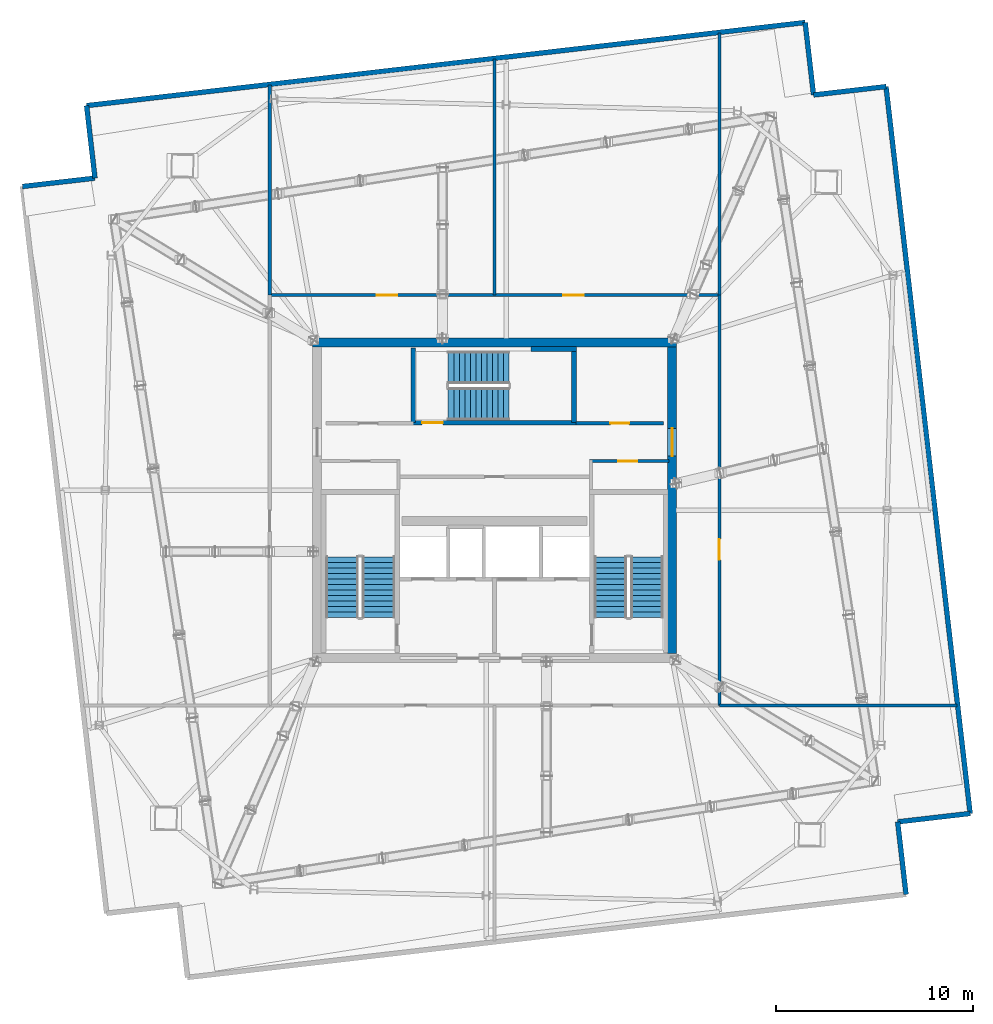
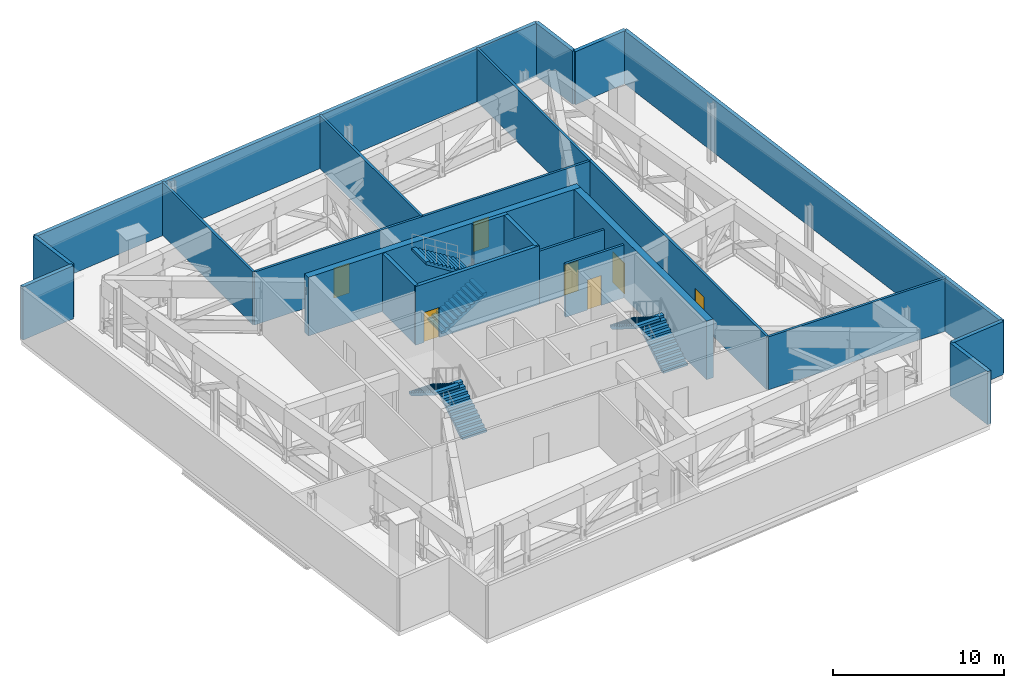
# One storey, part 10 of 13: 22 walls, 7 doors, 6 stair flights, 7 openings, 3 elements without a shape of their own.
"""IFC4 building model written with IfcOpenShell, lengths in metres."""

from ifc_helpers import new_model, si_unit, direction, frame, frame_2d, origin, place, context, subcontext, project, spatial, polyline, rectangle, outline, extrude, material, layer, layer_set, type_object, element, fill, aggregate, save


model = new_model("IFC4")

# Units and contexts
model_context = context("Model", 3, precision=1e-05, world=origin(), true_north=direction((0.0, 1.0)))
body_context = subcontext(model_context, "Body", "Model", "MODEL_VIEW")
ifc_project = project(units=[si_unit("LENGTHUNIT", "METRE"), si_unit("AREAUNIT", "SQUARE_METRE"), si_unit("VOLUMEUNIT", "CUBIC_METRE"), si_unit("PLANEANGLEUNIT", "RADIAN"), si_unit("MASSUNIT", "GRAM", prefix="KILO")], contexts=[model_context])

# Site, building, storey
site_placement = place(None, origin())
site = spatial("IfcSite", under=ifc_project, at=site_placement, CompositionType="ELEMENT")
building_placement = place(site_placement, origin())
building = spatial("IfcBuilding", under=site, at=building_placement, Name="Haldenkirk Collegiate Tower", CompositionType="ELEMENT")
storey_placement = place(building_placement, frame((0.0, 0.0, 352.199951171875)))
storey = spatial("IfcBuildingStorey", under=building, at=storey_placement, Name="L89", CompositionType="ELEMENT", Elevation=352.199951171875)

# Wall
ifc_material_1 = material(Name="Concrete f'c 55 MPa", Category="concrete")
ifc_layer_1 = layer(ifc_material_1, 0.449951171875)
ifc_layer_set_1 = layer_set([ifc_layer_1], Name="Concrete f'c 55 MPa")
wall_type_1 = type_object("IfcWallType", Name="WL-CORE-450", PredefinedType="SHEAR", material=ifc_layer_set_1)
wall_1_placement = place(storey_placement, frame((26.77490234375, 34.0, 0.0), z_axis=(0.0, 0.0, 1.0), x_axis=(1.0, 0.0, 0.0)))
element("IfcWall", 1, at=wall_1_placement, inside=storey, type_object=wall_type_1, Name="L89 central core shear wall N", PredefinedType="SHEAR", context=body_context, shape_type="SweptSolid", body=[
    extrude(rectangle(XDim=18.4501953125, YDim=0.449951171875, at=frame_2d((9.22509765625, 0.0))), origin(), (0.0, 0.0, 1.0), 4.199951171875),
])

# Wall, opening, door
wall_2_placement = place(storey_placement, frame((45.0, 18.22509765625, 0.0), z_axis=(0.0, 0.0, 1.0), x_axis=(0.0, 1.0, 0.0)))
wall_2 = element("IfcWall", 2, at=wall_2_placement, inside=storey, type_object=wall_type_1, Name="L89 central core shear wall E", PredefinedType="SHEAR", context=body_context, shape_type="SweptSolid", body=[
    extrude(rectangle(XDim=15.5498046875, YDim=0.449951171875, at=frame_2d((7.77490234375, 0.0))), origin(), (0.0, 0.0, 1.0), 4.199951171875),
])
opening_1_placement = place(wall_2_placement, frame((10.014892578125, 0.0, 0.0)))
opening_1 = element("IfcOpeningElement", 3, at=opening_1_placement, cuts=wall_2, Name="Opening D-03", PredefinedType="OPENING", context=body_context, shape_type="SweptSolid", body=[
    extrude(rectangle(XDim=1.39990234375, YDim=2.199951171875, at=frame_2d((0.699951171875, 1.10009765625))), frame((0.0, 0.23486328125, 0.0), z_axis=(0.0, -1.0, 0.0), x_axis=(1.0, 0.0, 0.0)), (0.0, 0.0, 1.0), 0.469970703125),
])
ifc_material_2 = material(Name="Galvanized fire-rated hollow steel door", Category="steel")
ifc_layer_2 = layer(ifc_material_2, 0.06005859375)
ifc_layer_set_2 = layer_set([ifc_layer_2], Name="Galvanized fire-rated hollow steel door")
door_type_1 = type_object("IfcDoorType", Name="DR-LOBBY-FD90-1400", OperationType="NOTDEFINED", PredefinedType="DOOR", material=ifc_layer_set_2)
door_1_placement = place(opening_1_placement, origin())
door_1 = element("IfcDoor", 4, at=door_1_placement, inside=storey, type_object=door_type_1, Name="L89 east lift lobby portal", OperationType="DOUBLE_DOOR_SINGLE_SWING", OverallHeight=2.199951171875, OverallWidth=1.39990234375, PredefinedType="DOOR", context=body_context, shape_type="SweptSolid", body=[
    extrude(rectangle(XDim=1.39990234375, YDim=2.199951171875, at=frame_2d((0.699951171875, 1.10009765625))), frame((0.0, 0.02490234375, 0.0), z_axis=(0.0, -1.0, 0.0), x_axis=(1.0, 0.0, 0.0)), (0.0, 0.0, 1.0), 0.050048828125),
])
fill(opening_1, door_1)

# Walls
ifc_material_3 = material(Name="Precast concrete f'c 40 MPa", Category="concrete")
ifc_layer_3 = layer(ifc_material_3, 0.25)
ifc_layer_set_3 = layer_set([ifc_layer_3], Name="Precast concrete f'c 40 MPa")
wall_type_2 = type_object("IfcWallType", Name="WL-EXT-CRN-250", PredefinedType="STANDARD", material=ifc_layer_set_3)
wall_3_placement = place(storey_placement, frame((55.84619140625, 46.969970703125, 0.0), z_axis=(0.0, 0.0, 1.0), x_axis=(0.114943814855, -0.993371994485, 0.0)))
element("IfcWall", 5, at=wall_3_placement, inside=storey, type_object=wall_type_2, Name="L89 crown bronze precast enclosure wall 01", PredefinedType="STANDARD", context=body_context, shape_type="SweptSolid", body=[
    extrude(rectangle(XDim=37.099853515625, YDim=0.25, at=frame_2d((18.5498046875, 0.0))), origin(), (0.0, 0.0, 1.0), 3.800048828125),
])
for number, where, z_axis, x_axis, name in (
    (6, (52.1708984375, 46.544921875, 0.0), (0.0, 0.0, 1.0), (0.993378846009, 0.114884586881, 0.0), "L89 crown bronze precast enclosure wall 02"),
    (7, (51.74560546875, 50.22021484375, 0.0), (0.0, 0.0, 1.0), (0.114949702904, -0.993371313156, 0.0), "L89 crown bronze precast enclosure wall 03"),
):
    element("IfcWall", number, at=place(storey_placement, frame(where, z_axis=z_axis, x_axis=x_axis)), inside=storey, type_object=wall_type_2, Name=name, PredefinedType="STANDARD", context=body_context, shape_type="SweptSolid", body=[
        extrude(rectangle(XDim=3.69970703125, YDim=0.25, at=frame_2d((1.849853515625, 0.0))), origin(), (0.0, 0.0, 1.0), 3.800048828125),
    ])
wall_4_placement = place(storey_placement, frame((15.313720703125, 46.0048828125, 0.0), z_axis=(0.0, 0.0, 1.0), x_axis=(0.993372706006, 0.114937665551, 0.0)))
element("IfcWall", 8, at=wall_4_placement, inside=storey, type_object=wall_type_2, Name="L89 crown bronze precast enclosure wall 04", PredefinedType="STANDARD", context=body_context, shape_type="SweptSolid", body=[
    extrude(rectangle(XDim=36.675048828125, YDim=0.25, at=frame_2d((18.33740234375, 0.0))), origin(), (0.0, 0.0, 1.0), 3.800048828125),
])
wall_5_placement = place(storey_placement, frame((15.739013671875, 42.32958984375, 0.0), z_axis=(0.0, 0.0, 1.0), x_axis=(-0.114949702904, 0.993371313156, 0.0)))
element("IfcWall", 9, at=wall_5_placement, inside=storey, type_object=wall_type_2, Name="L89 crown bronze precast enclosure wall 05", PredefinedType="STANDARD", context=body_context, shape_type="SweptSolid", body=[
    extrude(rectangle(XDim=3.69970703125, YDim=0.25, at=frame_2d((1.849853515625, 0.0))), origin(), (0.0, 0.0, 1.0), 3.800048828125),
])
for number, where, z_axis, x_axis, name in (
    (10, (12.0634765625, 41.904296875, 0.0), (0.0, 0.0, 1.0), (0.993372184988, 0.114942168466, 0.0), "L89 crown bronze precast enclosure wall 06"),
    (11, (56.43505859375, 9.690673828125, 0.0), (0.0, 0.0, 1.0), (0.114877056596, -0.993379716859, 0.0), "L89 crown bronze precast enclosure wall 11"),
    (12, (60.110595703125, 10.115966796875, 0.0), (0.0, 0.0, 1.0), (-0.993372184988, -0.114942168466, 0.0), "L89 crown bronze precast enclosure wall 12"),
):
    element("IfcWall", number, at=place(storey_placement, frame(where, z_axis=z_axis, x_axis=x_axis)), inside=storey, type_object=wall_type_2, Name=name, PredefinedType="STANDARD", context=body_context, shape_type="SweptSolid", body=[
        extrude(rectangle(XDim=3.699951171875, YDim=0.25, at=frame_2d((1.85009765625, 0.0))), origin(), (0.0, 0.0, 1.0), 3.800048828125),
    ])

# Wall, opening, door
ifc_material_4 = material(Name="Acoustic fire-rated gypsum partition", Category="concrete")
ifc_layer_4 = layer(ifc_material_4, 0.159912109375)
ifc_layer_set_4 = layer_set([ifc_layer_4], Name="Acoustic fire-rated gypsum partition")
wall_type_3 = type_object("IfcWallType", Name="WL-INT-CORR-160", PredefinedType="PARTITIONING", material=ifc_layer_set_4)
wall_6_placement = place(storey_placement, frame((40.800048828125, 27.97998046875, 0.0), z_axis=(0.0, 0.0, 1.0), x_axis=(1.0, 0.0, 0.0)))
wall_6 = element("IfcWall", 13, at=wall_6_placement, inside=storey, type_object=wall_type_3, Name="L89 interior partition IW-L89-VCSE-N", PredefinedType="PARTITIONING", context=body_context, shape_type="SweptSolid", body=[
    extrude(rectangle(XDim=4.050048828125, YDim=0.159912109375, at=frame_2d((2.02490234375, 0.0))), origin(), (0.0, 0.0, 1.0), 3.800048828125),
])
opening_2_placement = place(wall_6_placement, frame((1.47509765625, 0.0, 0.0)))
opening_2 = element("IfcOpeningElement", 14, at=opening_2_placement, cuts=wall_6, Name="Opening D-10", PredefinedType="OPENING", context=body_context, shape_type="SweptSolid", body=[
    extrude(rectangle(XDim=0.949951171875, YDim=2.14990234375, at=frame_2d((0.47509765625, 1.074951171875))), frame((0.0, 0.08984375, 0.0), z_axis=(0.0, -1.0, 0.0), x_axis=(1.0, 0.0, 0.0)), (0.0, 0.0, 1.0), 0.179931640625),
])
ifc_material_5 = material(Name="Solid-core architectural oak fire door", Category="wood")
ifc_layer_5 = layer(ifc_material_5, 0.06005859375)
ifc_layer_set_5 = layer_set([ifc_layer_5], Name="Solid-core architectural oak fire door")
door_type_2 = type_object("IfcDoorType", Name="DR-INT-FD60-950", OperationType="NOTDEFINED", PredefinedType="DOOR", material=ifc_layer_set_5)
door_2_placement = place(opening_2_placement, origin())
door_2 = element("IfcDoor", 15, at=door_2_placement, inside=storey, type_object=door_type_2, Name="L89 core mechanical store door", OperationType="SINGLE_SWING_RIGHT", OverallHeight=2.14990234375, OverallWidth=0.949951171875, PredefinedType="DOOR", context=body_context, shape_type="SweptSolid", body=[
    extrude(rectangle(XDim=0.949951171875, YDim=2.14990234375, at=frame_2d((0.47509765625, 1.074951171875))), frame((0.0, 0.02490234375, 0.0), z_axis=(0.0, -1.0, 0.0), x_axis=(1.0, 0.0, 0.0)), (0.0, 0.0, 1.0), 0.050048828125),
])
fill(opening_2, door_2)

wall_7_placement = place(storey_placement, frame((40.1201171875, 29.89990234375, 0.0), z_axis=(0.0, 0.0, 1.0), x_axis=(1.0, 0.0, 0.0)))
wall_7 = element("IfcWall", 16, at=wall_7_placement, inside=storey, type_object=wall_type_3, Name="L89 interior partition IW-L89-PMS", PredefinedType="PARTITIONING", context=body_context, shape_type="SweptSolid", body=[
    extrude(rectangle(XDim=4.429931640625, YDim=0.159912109375, at=frame_2d((2.21484375, 0.0))), origin(), (0.0, 0.0, 1.0), 3.800048828125),
])
opening_3_placement = place(wall_7_placement, frame((1.7548828125, 0.0, 0.0)))
opening_3 = element("IfcOpeningElement", 17, at=opening_3_placement, cuts=wall_7, Name="Opening D-10", PredefinedType="OPENING", context=body_context, shape_type="SweptSolid", body=[
    extrude(rectangle(XDim=0.949951171875, YDim=2.14990234375, at=frame_2d((0.47509765625, 1.074951171875))), frame((0.0, 0.08984375, 0.0), z_axis=(0.0, -1.0, 0.0), x_axis=(1.0, 0.0, 0.0)), (0.0, 0.0, 1.0), 0.179931640625),
])
door_3_placement = place(opening_3_placement, origin())
door_3 = element("IfcDoor", 18, at=door_3_placement, inside=storey, type_object=door_type_2, Name="L89 east plant store door", OperationType="SINGLE_SWING_RIGHT", OverallHeight=2.14990234375, OverallWidth=0.949951171875, PredefinedType="DOOR", context=body_context, shape_type="SweptSolid", body=[
    extrude(rectangle(XDim=0.949951171875, YDim=2.14990234375, at=frame_2d((0.47509765625, 1.074951171875))), frame((0.0, 0.02490234375, 0.0), z_axis=(0.0, -1.0, 0.0), x_axis=(1.0, 0.0, 0.0)), (0.0, 0.0, 1.0), 0.050048828125),
])
fill(opening_3, door_3)

# Wall, openings, doors
wall_8_placement = place(storey_placement, frame((24.60009765625, 36.39990234375, 0.0), z_axis=(0.0, 0.0, 1.0), x_axis=(1.0, 0.0, 0.0)))
wall_8 = element("IfcWall", 19, at=wall_8_placement, inside=storey, type_object=wall_type_3, Name="L89 interior partition IW-L89-CN", PredefinedType="PARTITIONING", context=body_context, shape_type="SweptSolid", body=[
    extrude(rectangle(XDim=22.7998046875, YDim=0.159912109375, at=frame_2d((11.39990234375, 0.0))), origin(), (0.0, 0.0, 1.0), 3.800048828125),
])
opening_4_placement = place(wall_8_placement, frame((5.425048828125, 0.0, 0.0)))
opening_4 = element("IfcOpeningElement", 20, at=opening_4_placement, cuts=wall_8, Name="Opening D-09", PredefinedType="OPENING", context=body_context, shape_type="SweptSolid", body=[
    extrude(rectangle(XDim=1.050048828125, YDim=2.14990234375, at=frame_2d((0.52490234375, 1.074951171875))), frame((0.0, 0.08984375, 0.0), z_axis=(0.0, -1.0, 0.0), x_axis=(1.0, 0.0, 0.0)), (0.0, 0.0, 1.0), 0.179931640625),
])
opening_5_placement = place(wall_8_placement, frame((14.875, 0.0, 0.0)))
opening_5 = element("IfcOpeningElement", 21, at=opening_5_placement, cuts=wall_8, Name="Opening D-09", PredefinedType="OPENING", context=body_context, shape_type="SweptSolid", body=[
    extrude(rectangle(XDim=1.050048828125, YDim=2.14990234375, at=frame_2d((0.52490234375, 1.074951171875))), frame((0.0, 0.08984375, 0.0), z_axis=(0.0, -1.0, 0.0), x_axis=(1.0, 0.0, 0.0)), (0.0, 0.0, 1.0), 0.179931640625),
])
ifc_layer_6 = layer(ifc_material_5, 0.06005859375)
ifc_layer_set_6 = layer_set([ifc_layer_6], Name="Solid-core architectural oak fire door")
door_type_3 = type_object("IfcDoorType", Name="DR-INT-FD60-1050", OperationType="NOTDEFINED", PredefinedType="DOOR", material=ifc_layer_set_6)
door_4_placement = place(opening_4_placement, origin())
door_4 = element("IfcDoor", 22, at=door_4_placement, inside=storey, type_object=door_type_3, Name="L89 crown NW plant door", OperationType="SINGLE_SWING_RIGHT", OverallHeight=2.14990234375, OverallWidth=1.050048828125, PredefinedType="DOOR", context=body_context, shape_type="SweptSolid", body=[
    extrude(rectangle(XDim=1.050048828125, YDim=2.14990234375, at=frame_2d((0.52490234375, 1.074951171875))), frame((0.0, 0.02490234375, 0.0), z_axis=(0.0, -1.0, 0.0), x_axis=(1.0, 0.0, 0.0)), (0.0, 0.0, 1.0), 0.050048828125),
])
fill(opening_4, door_4)
door_5_placement = place(opening_5_placement, origin())
door_5 = element("IfcDoor", 23, at=door_5_placement, inside=storey, type_object=door_type_3, Name="L89 crown NE plant door", OperationType="SINGLE_SWING_LEFT", OverallHeight=2.14990234375, OverallWidth=1.050048828125, PredefinedType="DOOR", context=body_context, shape_type="SweptSolid", body=[
    extrude(rectangle(XDim=1.050048828125, YDim=2.14990234375, at=frame_2d((0.52490234375, 1.074951171875))), frame((0.0, 0.02490234375, 0.0), z_axis=(0.0, -1.0, 0.0), x_axis=(1.0, 0.0, 0.0)), (0.0, 0.0, 1.0), 0.050048828125),
])
fill(opening_5, door_5)

# Wall, opening, door
wall_9_placement = place(storey_placement, frame((47.39990234375, 15.60009765625, 0.0), z_axis=(0.0, 0.0, 1.0), x_axis=(0.0, 1.0, 0.0)))
wall_9 = element("IfcWall", 24, at=wall_9_placement, inside=storey, type_object=wall_type_3, Name="L89 interior partition IW-L89-CE", PredefinedType="PARTITIONING", context=body_context, shape_type="SweptSolid", body=[
    extrude(rectangle(XDim=20.7998046875, YDim=0.159912109375, at=frame_2d((10.39990234375, 0.0))), origin(), (0.0, 0.0, 1.0), 3.800048828125),
])
opening_6_placement = place(wall_9_placement, frame((7.375, 0.0, 0.0)))
opening_6 = element("IfcOpeningElement", 25, at=opening_6_placement, cuts=wall_9, Name="Opening D-09", PredefinedType="OPENING", context=body_context, shape_type="SweptSolid", body=[
    extrude(rectangle(XDim=1.050048828125, YDim=2.14990234375, at=frame_2d((0.52490234375, 1.074951171875))), frame((0.0, 0.08984375, 0.0), z_axis=(0.0, -1.0, 0.0), x_axis=(1.0, 0.0, 0.0)), (0.0, 0.0, 1.0), 0.179931640625),
])
door_6_placement = place(opening_6_placement, origin())
door_6 = element("IfcDoor", 26, at=door_6_placement, inside=storey, type_object=door_type_3, Name="L89 crown E plant door", OperationType="SINGLE_SWING_LEFT", OverallHeight=2.14990234375, OverallWidth=1.050048828125, PredefinedType="DOOR", context=body_context, shape_type="SweptSolid", body=[
    extrude(rectangle(XDim=1.050048828125, YDim=2.14990234375, at=frame_2d((0.52490234375, 1.074951171875))), frame((0.0, 0.02490234375, 0.0), z_axis=(0.0, -1.0, 0.0), x_axis=(1.0, 0.0, 0.0)), (0.0, 0.0, 1.0), 0.050048828125),
])
fill(opening_6, door_6)

# Walls
wall_10_placement = place(storey_placement, frame((36.0, 36.39990234375, 0.0), z_axis=(0.0, 0.0, 1.0), x_axis=(0.0, 1.0, 0.0)))
element("IfcWall", 27, at=wall_10_placement, inside=storey, type_object=wall_type_3, Name="L89 interior partition IW-L89-D2", PredefinedType="PARTITIONING", context=body_context, shape_type="SweptSolid", body=[
    extrude(rectangle(XDim=11.958251953125, YDim=0.159912109375, at=frame_2d((5.97900390625, 0.0))), origin(), (0.0, 0.0, 1.0), 3.800048828125),
])
wall_11_placement = place(storey_placement, frame((47.39990234375, 15.60009765625, 0.0), z_axis=(0.0, 0.0, 1.0), x_axis=(1.0, 0.0, 0.0)))
element("IfcWall", 28, at=wall_11_placement, inside=storey, type_object=wall_type_3, Name="L89 interior partition IW-L89-D4", PredefinedType="PARTITIONING", context=body_context, shape_type="SweptSolid", body=[
    extrude(rectangle(XDim=12.035888671875, YDim=0.159912109375, at=frame_2d((6.01806640625, 0.0))), origin(), (0.0, 0.0, 1.0), 3.800048828125),
])
wall_12_placement = place(storey_placement, frame((24.60009765625, 36.39990234375, 0.0), z_axis=(0.0, 0.0, 1.0), x_axis=(0.0, 1.0, 0.0)))
element("IfcWall", 29, at=wall_12_placement, inside=storey, type_object=wall_type_3, Name="L89 interior partition IW-L89-D5", PredefinedType="PARTITIONING", context=body_context, shape_type="SweptSolid", body=[
    extrude(rectangle(XDim=10.63916015625, YDim=0.159912109375, at=frame_2d((5.319580078125, 0.0))), origin(), (0.0, 0.0, 1.0), 3.800048828125),
])
wall_13_placement = place(storey_placement, frame((47.39990234375, 36.39990234375, 0.0), z_axis=(0.0, 0.0, 1.0), x_axis=(0.0, 1.0, 0.0)))
element("IfcWall", 30, at=wall_13_placement, inside=storey, type_object=wall_type_3, Name="L89 interior partition IW-L89-D6", PredefinedType="PARTITIONING", context=body_context, shape_type="SweptSolid", body=[
    extrude(rectangle(XDim=13.27734375, YDim=0.159912109375, at=frame_2d((6.638671875, 0.0))), origin(), (0.0, 0.0, 1.0), 3.800048828125),
])

# Wall, opening, door
ifc_layer_7 = layer(ifc_material_1, 0.239990234375)
ifc_layer_set_7 = layer_set([ifc_layer_7], Name="Concrete f'c 55 MPa")
wall_type_4 = type_object("IfcWallType", Name="WL-SHAFT-240", PredefinedType="SHEAR", material=ifc_layer_set_7)
wall_14_placement = place(storey_placement, frame((31.760009765625, 29.929931640625, 0.0), z_axis=(0.0, 0.0, 1.0), x_axis=(1.0, 0.0, 0.0)))
wall_14 = element("IfcWall", 31, at=wall_14_placement, inside=storey, type_object=wall_type_4, Name="L89 stair shaft shear wall SW-L89-ST3S", PredefinedType="SHEAR", context=body_context, shape_type="SweptSolid", body=[
    extrude(rectangle(XDim=8.3798828125, YDim=0.239990234375, at=frame_2d((4.18994140625, 0.0))), origin(), (0.0, 0.0, 1.0), 4.199951171875),
])
opening_7_placement = place(wall_14_placement, frame((0.56494140625, 0.0, 0.0)))
opening_7 = element("IfcOpeningElement", 32, at=opening_7_placement, cuts=wall_14, Name="Opening D-01", PredefinedType="OPENING", context=body_context, shape_type="SweptSolid", body=[
    extrude(rectangle(XDim=1.050048828125, YDim=2.14990234375, at=frame_2d((0.52490234375, 1.074951171875))), frame((0.0, 0.1298828125, 0.0), z_axis=(0.0, -1.0, 0.0), x_axis=(1.0, 0.0, 0.0)), (0.0, 0.0, 1.0), 0.260009765625),
])
ifc_layer_8 = layer(ifc_material_2, 0.06005859375)
ifc_layer_set_8 = layer_set([ifc_layer_8], Name="Galvanized fire-rated hollow steel door")
door_type_4 = type_object("IfcDoorType", Name="DR-STAIR-FD90-1050", OperationType="NOTDEFINED", PredefinedType="DOOR", material=ifc_layer_set_8)
door_7_placement = place(opening_7_placement, origin())
door_7 = element("IfcDoor", 33, at=door_7_placement, inside=storey, type_object=door_type_4, Name="L89 lift lobby Stair 3 door", OperationType="SINGLE_SWING_RIGHT", OverallHeight=2.14990234375, OverallWidth=1.050048828125, PredefinedType="DOOR", context=body_context, shape_type="SweptSolid", body=[
    extrude(rectangle(XDim=1.050048828125, YDim=2.14990234375, at=frame_2d((0.52490234375, 1.074951171875))), frame((0.0, 0.02490234375, 0.0), z_axis=(0.0, -1.0, 0.0), x_axis=(1.0, 0.0, 0.0)), (0.0, 0.0, 1.0), 0.050048828125),
])
fill(opening_7, door_7)

# Walls
wall_15_placement = place(storey_placement, frame((31.8798828125, 29.929931640625, 0.0), z_axis=(0.0, 0.0, 1.0), x_axis=(0.0, 1.0, 0.0)))
element("IfcWall", 34, at=wall_15_placement, inside=storey, type_object=wall_type_4, Name="L89 stair shaft shear wall SW-L89-ST3W", PredefinedType="SHEAR", context=body_context, shape_type="SweptSolid", body=[
    extrude(rectangle(XDim=3.7900390625, YDim=0.239990234375, at=frame_2d((1.89501953125, 0.0))), origin(), (0.0, 0.0, 1.0), 4.199951171875),
])
wall_16_placement = place(storey_placement, frame((40.02001953125, 29.929931640625, 0.0), z_axis=(0.0, 0.0, 1.0), x_axis=(0.0, 1.0, 0.0)))
element("IfcWall", 35, at=wall_16_placement, inside=storey, type_object=wall_type_4, Name="L89 stair shaft shear wall SW-L89-ST3E", PredefinedType="SHEAR", context=body_context, shape_type="SweptSolid", body=[
    extrude(rectangle(XDim=3.85009765625, YDim=0.239990234375, at=frame_2d((1.925048828125, 0.0))), origin(), (0.0, 0.0, 1.0), 4.199951171875),
])
wall_17_placement = place(storey_placement, frame((37.85009765625, 33.659912109375, 0.0), z_axis=(0.0, 0.0, 1.0), x_axis=(1.0, 0.0, 0.0)))
element("IfcWall", 36, at=wall_17_placement, inside=storey, type_object=wall_type_4, Name="L89 stair shaft shear wall SW-L89-ST3N", PredefinedType="SHEAR", context=body_context, shape_type="SweptSolid", body=[
    extrude(rectangle(XDim=2.289794921875, YDim=0.239990234375, at=frame_2d((1.14501953125, 0.0))), origin(), (0.0, 0.0, 1.0), 4.199951171875),
])

# Stair, stair flights
ifc_material_6 = material(Name="Concrete f'c 40 MPa", Category="concrete")
stair_type = type_object("IfcStairType", Name="STR-DOGLEG-1650", PredefinedType="HALF_TURN_STAIR", material=ifc_material_6)
stair_1_placement = place(storey_placement, origin())
stair_1 = element("IfcStair", 37, at=stair_1_placement, inside=storey, type_object=stair_type, Name="L89 Core Exit Stair ST-1", PredefinedType="HALF_TURN_STAIR")
stair_flight_type = type_object("IfcStairFlightType", Name="STF-FLIGHT-1650", PredefinedType="STRAIGHT", material=ifc_material_6)
stair_flight_1_placement = place(storey_placement, frame((30.125, 20.050048828125, 0.0), z_axis=(0.0, 0.0, 1.0), x_axis=(0.0, 1.0, 0.0)))
stair_flight_1 = element("IfcStairFlight", 38, at=stair_flight_1_placement, type_object=stair_flight_type, Name="ST-1 flight 1", NumberOfRisers=12, NumberOfTreads=11, PredefinedType="STRAIGHT", RiserHeight=0.175, TreadLength=0.28, context=body_context, shape_type="SweptSolid", body=[
    extrude(outline(polyline([(0.0, 0.0), (0.0, 0.175048828125), (0.280029296875, 0.175048828125), (0.280029296875, 0.35009765625), (0.56005859375, 0.35009765625), (0.56005859375, 0.52490234375), (0.840087890625, 0.52490234375), (0.840087890625, 0.699951171875), (1.1201171875, 0.699951171875), (1.1201171875, 0.875), (1.39990234375, 0.875), (1.39990234375, 1.050048828125), (1.679931640625, 1.050048828125), (1.679931640625, 1.22509765625), (1.9599609375, 1.22509765625), (1.9599609375, 1.39990234375), (2.239990234375, 1.39990234375), (2.239990234375, 1.574951171875), (2.52001953125, 1.574951171875), (2.52001953125, 1.75), (2.800048828125, 1.75), (2.800048828125, 1.925048828125), (3.080078125, 1.925048828125), (3.080078125, 2.10009765625), (3.080078125, 1.748291015625), (0.28271484375, 0.0), (0.0, 0.0)])), frame((0.0, 0.824951171875, 0.0), z_axis=(0.0, -1.0, 0.0), x_axis=(1.0, 0.0, 0.0)), (0.0, 0.0, 1.0), 1.64990234375),
])
stair_flight_2_placement = place(storey_placement, frame((28.27490234375, 23.1298828125, 2.10009765625), z_axis=(0.0, 0.0, 1.0), x_axis=(0.0, -1.0, 0.0)))
stair_flight_2 = element("IfcStairFlight", 39, at=stair_flight_2_placement, type_object=stair_flight_type, Name="ST-1 flight 2", NumberOfRisers=12, NumberOfTreads=11, PredefinedType="STRAIGHT", RiserHeight=0.175, TreadLength=0.28, context=body_context, shape_type="SweptSolid", body=[
    extrude(outline(polyline([(0.0, 0.0), (0.0, 0.175048828125), (0.280029296875, 0.175048828125), (0.280029296875, 0.35009765625), (0.56005859375, 0.35009765625), (0.56005859375, 0.52490234375), (0.840087890625, 0.52490234375), (0.840087890625, 0.699951171875), (1.1201171875, 0.699951171875), (1.1201171875, 0.875), (1.39990234375, 0.875), (1.39990234375, 1.050048828125), (1.679931640625, 1.050048828125), (1.679931640625, 1.22509765625), (1.9599609375, 1.22509765625), (1.9599609375, 1.39990234375), (2.239990234375, 1.39990234375), (2.239990234375, 1.574951171875), (2.52001953125, 1.574951171875), (2.52001953125, 1.75), (2.800048828125, 1.75), (2.800048828125, 1.925048828125), (3.080078125, 1.925048828125), (3.080078125, 2.10009765625), (3.080078125, 1.748291015625), (0.28271484375, 0.0), (0.0, 0.0)])), frame((0.0, 0.824951171875, 0.0), z_axis=(0.0, -1.0, 0.0), x_axis=(1.0, 0.0, 0.0)), (0.0, 0.0, 1.0), 1.64990234375),
])
aggregate(stair_1, [stair_flight_1, stair_flight_2])

stair_2_placement = place(storey_placement, origin())
stair_2 = element("IfcStair", 40, at=stair_2_placement, inside=storey, type_object=stair_type, Name="L89 Core Exit Stair ST-2", PredefinedType="HALF_TURN_STAIR")
stair_flight_3_placement = place(storey_placement, frame((43.72509765625, 20.050048828125, 0.0), z_axis=(0.0, 0.0, 1.0), x_axis=(0.0, 1.0, 0.0)))
stair_flight_3 = element("IfcStairFlight", 41, at=stair_flight_3_placement, type_object=stair_flight_type, Name="ST-2 flight 1", NumberOfRisers=12, NumberOfTreads=11, PredefinedType="STRAIGHT", RiserHeight=0.175, TreadLength=0.28, context=body_context, shape_type="SweptSolid", body=[
    extrude(outline(polyline([(0.0, 0.0), (0.0, 0.175048828125), (0.280029296875, 0.175048828125), (0.280029296875, 0.35009765625), (0.56005859375, 0.35009765625), (0.56005859375, 0.52490234375), (0.840087890625, 0.52490234375), (0.840087890625, 0.699951171875), (1.1201171875, 0.699951171875), (1.1201171875, 0.875), (1.39990234375, 0.875), (1.39990234375, 1.050048828125), (1.679931640625, 1.050048828125), (1.679931640625, 1.22509765625), (1.9599609375, 1.22509765625), (1.9599609375, 1.39990234375), (2.239990234375, 1.39990234375), (2.239990234375, 1.574951171875), (2.52001953125, 1.574951171875), (2.52001953125, 1.75), (2.800048828125, 1.75), (2.800048828125, 1.925048828125), (3.080078125, 1.925048828125), (3.080078125, 2.10009765625), (3.080078125, 1.748291015625), (0.28271484375, 0.0), (0.0, 0.0)])), frame((0.0, 0.824951171875, 0.0), z_axis=(0.0, -1.0, 0.0), x_axis=(1.0, 0.0, 0.0)), (0.0, 0.0, 1.0), 1.64990234375),
])
stair_flight_4_placement = place(storey_placement, frame((41.875, 23.1298828125, 2.10009765625), z_axis=(0.0, 0.0, 1.0), x_axis=(0.0, -1.0, 0.0)))
stair_flight_4 = element("IfcStairFlight", 42, at=stair_flight_4_placement, type_object=stair_flight_type, Name="ST-2 flight 2", NumberOfRisers=12, NumberOfTreads=11, PredefinedType="STRAIGHT", RiserHeight=0.175, TreadLength=0.28, context=body_context, shape_type="SweptSolid", body=[
    extrude(outline(polyline([(0.0, 0.0), (0.0, 0.175048828125), (0.280029296875, 0.175048828125), (0.280029296875, 0.35009765625), (0.56005859375, 0.35009765625), (0.56005859375, 0.52490234375), (0.840087890625, 0.52490234375), (0.840087890625, 0.699951171875), (1.1201171875, 0.699951171875), (1.1201171875, 0.875), (1.39990234375, 0.875), (1.39990234375, 1.050048828125), (1.679931640625, 1.050048828125), (1.679931640625, 1.22509765625), (1.9599609375, 1.22509765625), (1.9599609375, 1.39990234375), (2.239990234375, 1.39990234375), (2.239990234375, 1.574951171875), (2.52001953125, 1.574951171875), (2.52001953125, 1.75), (2.800048828125, 1.75), (2.800048828125, 1.925048828125), (3.080078125, 1.925048828125), (3.080078125, 2.10009765625), (3.080078125, 1.748291015625), (0.28271484375, 0.0), (0.0, 0.0)])), frame((0.0, 0.824951171875, 0.0), z_axis=(0.0, -1.0, 0.0), x_axis=(1.0, 0.0, 0.0)), (0.0, 0.0, 1.0), 1.64990234375),
])
aggregate(stair_2, [stair_flight_3, stair_flight_4])

stair_3_placement = place(storey_placement, origin())
stair_3 = element("IfcStair", 43, at=stair_3_placement, inside=storey, type_object=stair_type, Name="L89 Core Exit Stair ST-3", PredefinedType="HALF_TURN_STAIR")
stair_flight_5_placement = place(storey_placement, frame((33.64990234375, 30.875, 0.0), z_axis=(0.0, 0.0, 1.0), x_axis=(1.0, 0.0, 0.0)))
stair_flight_5 = element("IfcStairFlight", 44, at=stair_flight_5_placement, type_object=stair_flight_type, Name="ST-3 flight 1", NumberOfRisers=12, NumberOfTreads=11, PredefinedType="STRAIGHT", RiserHeight=0.175, TreadLength=0.28, context=body_context, shape_type="SweptSolid", body=[
    extrude(outline(polyline([(0.0, 0.0), (0.0, 0.175048828125), (0.280029296875, 0.175048828125), (0.280029296875, 0.35009765625), (0.56005859375, 0.35009765625), (0.56005859375, 0.52490234375), (0.840087890625, 0.52490234375), (0.840087890625, 0.699951171875), (1.1201171875, 0.699951171875), (1.1201171875, 0.875), (1.39990234375, 0.875), (1.39990234375, 1.050048828125), (1.679931640625, 1.050048828125), (1.679931640625, 1.22509765625), (1.9599609375, 1.22509765625), (1.9599609375, 1.39990234375), (2.239990234375, 1.39990234375), (2.239990234375, 1.574951171875), (2.52001953125, 1.574951171875), (2.52001953125, 1.75), (2.800048828125, 1.75), (2.800048828125, 1.925048828125), (3.080078125, 1.925048828125), (3.080078125, 2.10009765625), (3.080078125, 1.748291015625), (0.28271484375, 0.0), (0.0, 0.0)])), frame((0.0, 0.824951171875, 0.0), z_axis=(0.0, -1.0, 0.0), x_axis=(1.0, 0.0, 0.0)), (0.0, 0.0, 1.0), 1.64990234375),
])
stair_flight_6_placement = place(storey_placement, frame((36.72998046875, 32.72509765625, 2.10009765625), z_axis=(0.0, 0.0, 1.0), x_axis=(-1.0, 0.0, 0.0)))
stair_flight_6 = element("IfcStairFlight", 45, at=stair_flight_6_placement, type_object=stair_flight_type, Name="ST-3 flight 2", NumberOfRisers=12, NumberOfTreads=11, PredefinedType="STRAIGHT", RiserHeight=0.175, TreadLength=0.28, context=body_context, shape_type="SweptSolid", body=[
    extrude(outline(polyline([(0.0, 0.0), (0.0, 0.175048828125), (0.280029296875, 0.175048828125), (0.280029296875, 0.35009765625), (0.56005859375, 0.35009765625), (0.56005859375, 0.52490234375), (0.840087890625, 0.52490234375), (0.840087890625, 0.699951171875), (1.1201171875, 0.699951171875), (1.1201171875, 0.875), (1.39990234375, 0.875), (1.39990234375, 1.050048828125), (1.679931640625, 1.050048828125), (1.679931640625, 1.22509765625), (1.9599609375, 1.22509765625), (1.9599609375, 1.39990234375), (2.239990234375, 1.39990234375), (2.239990234375, 1.574951171875), (2.52001953125, 1.574951171875), (2.52001953125, 1.75), (2.800048828125, 1.75), (2.800048828125, 1.925048828125), (3.080078125, 1.925048828125), (3.080078125, 2.10009765625), (3.080078125, 1.748291015625), (0.28271484375, 0.0), (0.0, 0.0)])), frame((0.0, 0.824951171875, 0.0), z_axis=(0.0, -1.0, 0.0), x_axis=(1.0, 0.0, 0.0)), (0.0, 0.0, 1.0), 1.64990234375),
])
aggregate(stair_3, [stair_flight_5, stair_flight_6])

save(model, "model.ifc")
